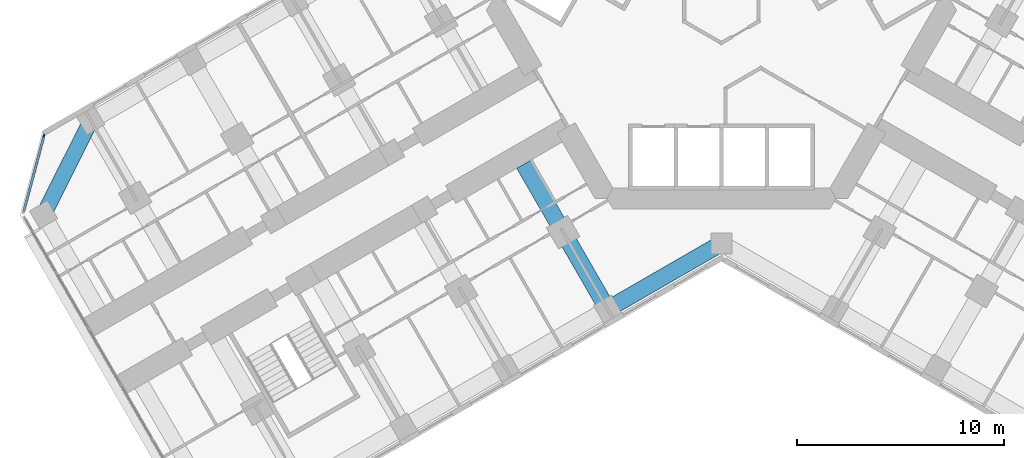
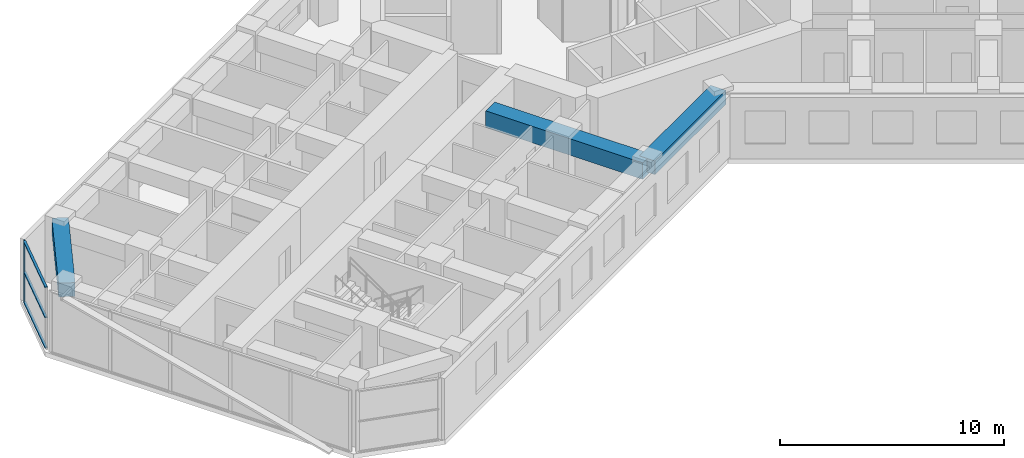
# One storey, part 3 of 21: 4 members, 3 beams, 1 element without a shape of its own.
"""IFC4 building model written with IfcOpenShell, lengths in metres."""

from ifc_helpers import new_model, si_unit, direction, frame, origin, origin_2d, place, context, subcontext, project, spatial, rectangle, extrude, material, material_profile, profile_set, type_object, element, aggregate, save


model = new_model("IFC4")

# Units and contexts
model_context = context("Model", 3, precision=1e-05, world=origin(), true_north=direction((0.0, 1.0)))
body_context = subcontext(model_context, "Body", "Model", "MODEL_VIEW")
ifc_project = project(units=[si_unit("LENGTHUNIT", "METRE"), si_unit("AREAUNIT", "SQUARE_METRE"), si_unit("VOLUMEUNIT", "CUBIC_METRE"), si_unit("PLANEANGLEUNIT", "RADIAN"), si_unit("MASSUNIT", "GRAM", prefix="KILO")], contexts=[model_context])

# Site, building, storey
site_placement = place(None, origin())
site = spatial("IfcSite", under=ifc_project, at=site_placement, CompositionType="ELEMENT")
building_placement = place(site_placement, origin())
building = spatial("IfcBuilding", under=site, at=building_placement, Name="Kosmar Iwan School Tower", CompositionType="ELEMENT")
storey_placement = place(building_placement, frame((0.0, 0.0, 71.800048828125)))
storey = spatial("IfcBuildingStorey", under=building, at=storey_placement, Name="L17", CompositionType="ELEMENT", Elevation=71.800048828125)

# Curtain wall, member
ifc_material_1 = material(Name="Dark glass in black aluminium frame", Category="aluminium")
curtain_wall_type = type_object("IfcCurtainWallType", Name="Chamfer curtain wall dark glass", PredefinedType="USERDEFINED", material=ifc_material_1)
curtain_wall_placement = place(storey_placement, origin())
curtain_wall = element("IfcCurtainWall", 1, at=curtain_wall_placement, inside=storey, type_object=curtain_wall_type, Name="Curtain wall L17-F12", ObjectType="FACETED CURTAIN WALL", PredefinedType="USERDEFINED")
ifc_material_2 = material(Name="Black anodised aluminium", Category="aluminium")
ifc_material_profile_1 = material_profile(ifc_material_2, rectangle(XDim=0.06005859375, YDim=0.159912109375, at=origin_2d()), Name="MULLION 60x160")
ifc_profile_set_1 = profile_set([ifc_material_profile_1], Name="Black anodised aluminium")
member_type_1 = type_object("IfcMemberType", Name="Mullion 60x160", PredefinedType="MULLION", material=ifc_profile_set_1)
member_1_placement = place(storey_placement, frame((-32.78076171875, -6.5732421875, 0.0), z_axis=(0.0, 0.0, 1.0), x_axis=(0.965925875495, -0.258818861462, 0.0)))
member_1 = element("IfcMember", 2, at=member_1_placement, type_object=member_type_1, Name="CW2 mullion 1", PredefinedType="MULLION", context=body_context, shape_type="SweptSolid", body=[
    extrude(rectangle(XDim=0.06005859375, YDim=0.159912109375, at=origin_2d()), origin(), (0.0, 0.0, 1.0), 3.349853515625),
])

# Beams
ifc_material_3 = material(Name="Concrete C50/60", Category="concrete")
ifc_material_profile_2 = material_profile(ifc_material_3, rectangle(XDim=0.800048828125, YDim=0.75, at=origin_2d()), Name="RC 800x750")
ifc_profile_set_2 = profile_set([ifc_material_profile_2], Name="Concrete C50/60")
beam_type_1 = type_object("IfcBeamType", Name="RC edge beam 800x750", PredefinedType="BEAM", material=ifc_profile_set_2)
beam_1_placement = place(storey_placement, frame((0.0, -11.77783203125, 2.974853515625), z_axis=(-0.866014293216, -0.500019243575, 0.0), x_axis=(0.500019243575, -0.866014293216, 0.0)))
element("IfcBeam", 3, at=beam_1_placement, inside=storey, type_object=beam_type_1, Name="Edge beam BL1", PredefinedType="BEAM", context=body_context, shape_type="SweptSolid", body=[
    extrude(rectangle(XDim=0.800048828125, YDim=0.75, at=origin_2d()), origin(), (0.0, 0.0, 1.0), 6.361083984375),
])
ifc_material_4 = material(Name="Concrete C50/60", Category="concrete")
ifc_material_profile_3 = material_profile(ifc_material_4, rectangle(XDim=0.75, YDim=0.75, at=origin_2d()), Name="RC 750x750")
ifc_profile_set_3 = profile_set([ifc_material_profile_3], Name="Concrete C50/60")
beam_type_2 = type_object("IfcBeamType", Name="RC tip beam 750x750", PredefinedType="BEAM", material=ifc_profile_set_3)
beam_2_placement = place(storey_placement, frame((-30.517822265625, -5.841552734375, 2.974853515625), z_axis=(-0.44809604203, -0.893985423325, 0.0), x_axis=(0.893985423325, -0.44809604203, 0.0)))
element("IfcBeam", 4, at=beam_2_placement, inside=storey, type_object=beam_type_2, Name="Tip beam BR", PredefinedType="BEAM", context=body_context, shape_type="SweptSolid", body=[
    extrude(rectangle(XDim=0.75, YDim=0.75, at=origin_2d()), origin(), (0.0, 0.0, 1.0), 5.08935546875),
])
ifc_material_5 = material(Name="Concrete C50/60", Category="concrete")
ifc_material_profile_4 = material_profile(ifc_material_5, rectangle(XDim=0.800048828125, YDim=0.89990234375, at=origin_2d()), Name="RC 800x900")
ifc_profile_set_4 = profile_set([ifc_material_profile_4], Name="Concrete C50/60")
beam_type_3 = type_object("IfcBeamType", Name="RC transverse beam 800x900", PredefinedType="BEAM", material=ifc_profile_set_4)
beam_3_placement = place(storey_placement, frame((-5.5087890625, -14.95849609375, 2.89990234375), z_axis=(-0.499999880539, 0.866025472755, 0.0), x_axis=(-0.866025472755, -0.499999880539, 0.0)))
element("IfcBeam", 5, at=beam_3_placement, inside=storey, type_object=beam_type_3, Name="Transverse beam BL1", PredefinedType="BEAM", context=body_context, shape_type="SweptSolid", body=[
    extrude(rectangle(XDim=0.800048828125, YDim=0.89990234375, at=origin_2d()), origin(), (0.0, 0.0, 1.0), 8.10009765625),
])

# Member
ifc_material_6 = material(Name="Black anodised aluminium", Category="aluminium")
ifc_material_profile_5 = material_profile(ifc_material_6, rectangle(XDim=0.1201171875, YDim=0.06005859375, at=origin_2d()), Name="TRANSOM 60x120")
ifc_profile_set_5 = profile_set([ifc_material_profile_5], Name="Black anodised aluminium")
member_type_2 = type_object("IfcMemberType", Name="Transom 60x120", PredefinedType="USERDEFINED", material=ifc_profile_set_5)
member_2_placement = place(storey_placement, frame((-32.788330078125, -6.602294921875, 0.030029296875), z_axis=(-0.258843273983, -0.965919333854, 0.0), x_axis=(0.965919333854, -0.258843273983, 0.0)))
member_2 = element("IfcMember", 6, at=member_2_placement, type_object=member_type_2, Name="CW2 transom 1.1", ObjectType="TRANSOM", PredefinedType="USERDEFINED", context=body_context, shape_type="SweptSolid", body=[
    extrude(rectangle(XDim=0.1201171875, YDim=0.06005859375, at=origin_2d()), origin(), (0.0, 0.0, 1.0), 3.718994140625),
])

member_3_placement = place(storey_placement, frame((-32.788330078125, -6.602294921875, 1.675048828125), z_axis=(-0.258843273983, -0.965919333854, 0.0), x_axis=(0.965919333854, -0.258843273983, 0.0)))
member_3 = element("IfcMember", 7, at=member_3_placement, type_object=member_type_2, Name="CW2 transom 1.2", ObjectType="TRANSOM", PredefinedType="USERDEFINED", context=body_context, shape_type="SweptSolid", body=[
    extrude(rectangle(XDim=0.1201171875, YDim=0.06005859375, at=origin_2d()), origin(), (0.0, 0.0, 1.0), 3.718994140625),
])

member_4_placement = place(storey_placement, frame((-32.788330078125, -6.602294921875, 3.320068359375), z_axis=(-0.258843273983, -0.965919333854, 0.0), x_axis=(0.965919333854, -0.258843273983, 0.0)))
member_4 = element("IfcMember", 8, at=member_4_placement, type_object=member_type_2, Name="CW2 transom 1.3", ObjectType="TRANSOM", PredefinedType="USERDEFINED", context=body_context, shape_type="SweptSolid", body=[
    extrude(rectangle(XDim=0.1201171875, YDim=0.06005859375, at=origin_2d()), origin(), (0.0, 0.0, 1.0), 3.718994140625),
])

aggregate(curtain_wall, [member_1, member_2, member_3, member_4])

save(model, "model.ifc")
